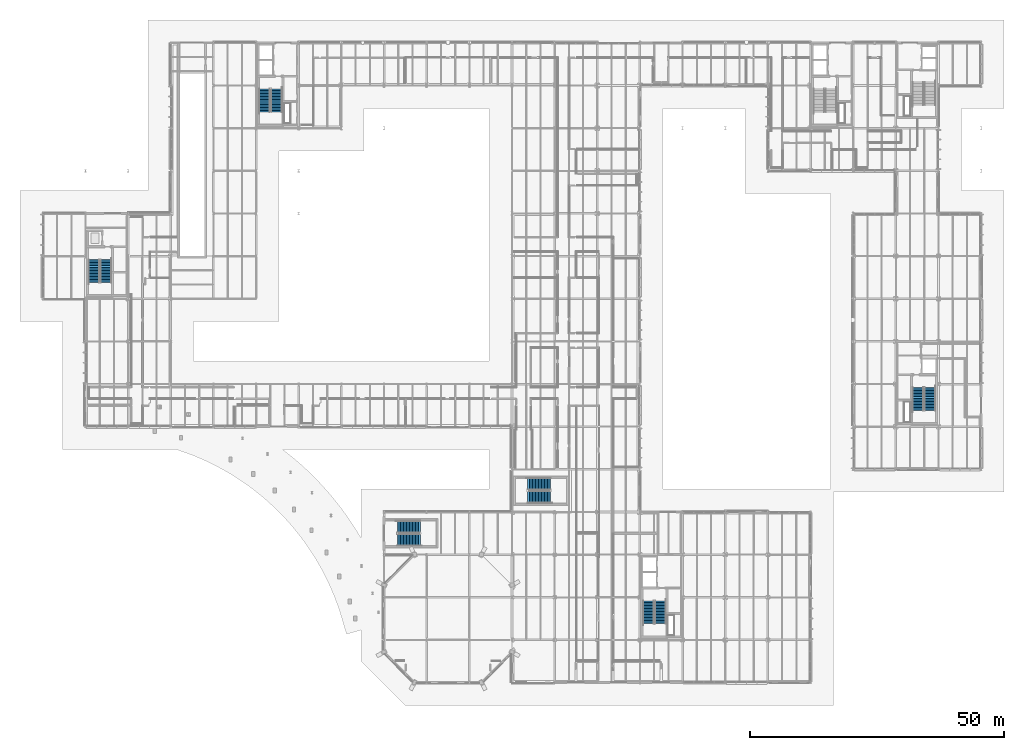
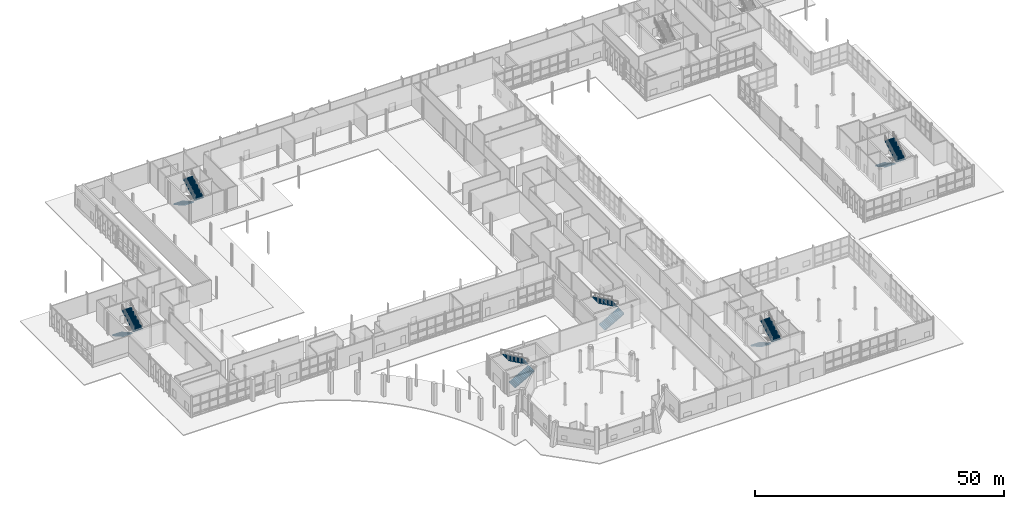
# One storey, part 96 of 124: 12 stair flights, 6 elements without a shape of their own.
"""IFC4 building model written with IfcOpenShell, lengths in metres."""

from ifc_helpers import new_model, si_unit, direction, frame, origin, place, context, subcontext, project, spatial, polyline, outline, extrude, material, type_object, element, aggregate, save


model = new_model("IFC4")

# Units and contexts
model_context = context("Model", 3, precision=1e-05, world=origin(), true_north=direction((0.0, 1.0)))
body_context = subcontext(model_context, "Body", "Model", "MODEL_VIEW")
ifc_project = project(units=[si_unit("LENGTHUNIT", "METRE"), si_unit("AREAUNIT", "SQUARE_METRE"), si_unit("VOLUMEUNIT", "CUBIC_METRE"), si_unit("PLANEANGLEUNIT", "RADIAN"), si_unit("MASSUNIT", "GRAM", prefix="KILO")], contexts=[model_context])

# Site, building, storey
site_placement = place(None, origin())
site = spatial("IfcSite", under=ifc_project, at=site_placement, CompositionType="ELEMENT")
building_placement = place(site_placement, origin())
building = spatial("IfcBuilding", under=site, at=building_placement, Name="Mersafa Astral City Hall", CompositionType="ELEMENT")
storey_placement = place(building_placement, origin())
storey = spatial("IfcBuildingStorey", under=building, at=storey_placement, Name="L00", CompositionType="ELEMENT", Elevation=0.0)

# Stair, stair flights
ifc_material = material(Name="Concrete C40/50", Category="concrete")
stair_type = type_object("IfcStairType", Name="STAIR", PredefinedType="HALF_TURN_STAIR", material=ifc_material)
stair_1_placement = place(storey_placement, origin())
stair_1 = element("IfcStair", 1, at=stair_1_placement, inside=storey, type_object=stair_type, Name="L00 Protected Exit Stair ST3", PredefinedType="HALF_TURN_STAIR")
stair_flight_type = type_object("IfcStairFlightType", Name="STAIR-FLIGHT", PredefinedType="STRAIGHT", material=ifc_material)
stair_flight_1_placement = place(storey_placement, frame((43.679931640625, 116.89990234375, 0.0), z_axis=(0.0, 0.0, 1.0), x_axis=(0.0, -1.0, 0.0)))
stair_flight_1 = element("IfcStairFlight", 2, at=stair_flight_1_placement, type_object=stair_flight_type, Name="ST3 flight 1", NumberOfRisers=16, NumberOfTreads=15, PredefinedType="STRAIGHT", RiserHeight=0.16875, TreadLength=0.3, context=body_context, shape_type="SweptSolid", body=[
    extrude(outline(polyline([(-0.008056640625, -0.02197265625), (-0.008056640625, -0.010009765625), (-0.008056640625, 0.001953125), (-0.008056640625, 0.013671875), (-0.008056640625, 0.025634765625), (-0.008056640625, 0.03759765625), (-0.008056640625, 0.049560546875), (-0.008056640625, 0.0615234375), (-0.008056640625, 0.073486328125), (-0.008056640625, 0.085205078125), (-0.008056640625, 0.09716796875), (-0.008056640625, 0.109130859375), (-0.008056640625, 0.12109375), (-0.008056640625, 0.133056640625), (-0.008056640625, 0.14501953125), (-0.008056640625, 0.15673828125), (-0.008056640625, 0.168701171875), (0.300048828125, 0.168701171875), (0.300048828125, 0.33740234375), (0.60009765625, 0.33740234375), (0.60009765625, 0.50634765625), (0.89990234375, 0.50634765625), (0.89990234375, 0.675048828125), (1.199951171875, 0.675048828125), (1.199951171875, 0.84375), (1.5, 0.84375), (1.5, 1.012451171875), (1.800048828125, 1.012451171875), (1.800048828125, 1.18115234375), (2.10009765625, 1.18115234375), (2.10009765625, 1.35009765625), (2.39990234375, 1.35009765625), (2.39990234375, 1.518798828125), (2.699951171875, 1.518798828125), (2.699951171875, 1.6875), (3.0, 1.6875), (3.0, 1.856201171875), (3.300048828125, 1.856201171875), (3.300048828125, 2.02490234375), (3.60009765625, 2.02490234375), (3.60009765625, 2.19384765625), (3.89990234375, 2.19384765625), (3.89990234375, 2.362548828125), (4.199951171875, 2.362548828125), (4.199951171875, 2.53125), (4.5, 2.53125), (4.5, 2.699951171875), (4.508056640625, 2.699951171875), (4.508056640625, 2.6787109375), (4.508056640625, 2.657470703125), (4.508056640625, 2.63623046875), (4.508056640625, 2.61474609375), (4.508056640625, 2.593505859375), (4.508056640625, 2.572265625), (4.508056640625, 2.551025390625), (4.508056640625, 2.529541015625), (4.508056640625, 2.50830078125), (4.508056640625, 2.487060546875), (4.508056640625, 2.4658203125), (4.508056640625, 2.4443359375), (4.508056640625, 2.423095703125), (4.508056640625, 2.40185546875), (4.508056640625, 2.380615234375), (4.508056640625, 2.359375), (0.2666015625, -0.02197265625), (-0.008056640625, -0.02197265625)])), frame((0.0, 1.10009765625, 0.0), z_axis=(0.0, -1.0, 0.0), x_axis=(1.0, 0.0, 0.0)), (0.0, 0.0, 1.0), 2.199951171875),
])
stair_flight_2_placement = place(storey_placement, frame((46.0400390625, 112.39990234375, 2.699951171875), z_axis=(0.0, 0.0, 1.0), x_axis=(0.0, 1.0, 0.0)))
stair_flight_2 = element("IfcStairFlight", 3, at=stair_flight_2_placement, type_object=stair_flight_type, Name="ST3 flight 2", NumberOfRisers=16, NumberOfTreads=15, PredefinedType="STRAIGHT", RiserHeight=0.16875, TreadLength=0.3, context=body_context, shape_type="SweptSolid", body=[
    extrude(outline(polyline([(-0.008056640625, -0.02197265625), (-0.008056640625, -0.010009765625), (-0.008056640625, 0.001953125), (-0.008056640625, 0.013671875), (-0.008056640625, 0.025634765625), (-0.008056640625, 0.03759765625), (-0.008056640625, 0.049560546875), (-0.008056640625, 0.0615234375), (-0.008056640625, 0.073486328125), (-0.008056640625, 0.085205078125), (-0.008056640625, 0.09716796875), (-0.008056640625, 0.109130859375), (-0.008056640625, 0.12109375), (-0.008056640625, 0.133056640625), (-0.008056640625, 0.14501953125), (-0.008056640625, 0.15673828125), (-0.008056640625, 0.168701171875), (0.300048828125, 0.168701171875), (0.300048828125, 0.33740234375), (0.60009765625, 0.33740234375), (0.60009765625, 0.50634765625), (0.89990234375, 0.50634765625), (0.89990234375, 0.675048828125), (1.199951171875, 0.675048828125), (1.199951171875, 0.84375), (1.5, 0.84375), (1.5, 1.012451171875), (1.800048828125, 1.012451171875), (1.800048828125, 1.18115234375), (2.10009765625, 1.18115234375), (2.10009765625, 1.35009765625), (2.39990234375, 1.35009765625), (2.39990234375, 1.518798828125), (2.699951171875, 1.518798828125), (2.699951171875, 1.6875), (3.0, 1.6875), (3.0, 1.856201171875), (3.300048828125, 1.856201171875), (3.300048828125, 2.02490234375), (3.60009765625, 2.02490234375), (3.60009765625, 2.19384765625), (3.89990234375, 2.19384765625), (3.89990234375, 2.362548828125), (4.199951171875, 2.362548828125), (4.199951171875, 2.53125), (4.5, 2.53125), (4.5, 2.699951171875), (4.508056640625, 2.699951171875), (4.508056640625, 2.6787109375), (4.508056640625, 2.657470703125), (4.508056640625, 2.63623046875), (4.508056640625, 2.61474609375), (4.508056640625, 2.593505859375), (4.508056640625, 2.572265625), (4.508056640625, 2.551025390625), (4.508056640625, 2.529541015625), (4.508056640625, 2.50830078125), (4.508056640625, 2.487060546875), (4.508056640625, 2.4658203125), (4.508056640625, 2.4443359375), (4.508056640625, 2.423095703125), (4.508056640625, 2.40185546875), (4.508056640625, 2.380615234375), (4.508056640625, 2.359375), (0.2666015625, -0.02197265625), (-0.008056640625, -0.02197265625)])), frame((0.0, 1.10009765625, 0.0), z_axis=(0.0, -1.0, 0.0), x_axis=(1.0, 0.0, 0.0)), (0.0, 0.0, 1.0), 2.199951171875),
])
aggregate(stair_1, [stair_flight_1, stair_flight_2])

stair_2_placement = place(storey_placement, origin())
stair_2 = element("IfcStair", 4, at=stair_2_placement, inside=storey, type_object=stair_type, Name="L00 Protected Exit Stair ST4", PredefinedType="HALF_TURN_STAIR")
stair_flight_3_placement = place(storey_placement, frame((172.360107421875, 58.10009765625, 0.0), z_axis=(0.0, 0.0, 1.0), x_axis=(0.0, -1.0, 0.0)))
stair_flight_3 = element("IfcStairFlight", 5, at=stair_flight_3_placement, type_object=stair_flight_type, Name="ST4 flight 1", NumberOfRisers=16, NumberOfTreads=15, PredefinedType="STRAIGHT", RiserHeight=0.16875, TreadLength=0.3, context=body_context, shape_type="SweptSolid", body=[
    extrude(outline(polyline([(-0.008056640625, -0.02197265625), (-0.008056640625, -0.010009765625), (-0.008056640625, 0.001953125), (-0.008056640625, 0.013671875), (-0.008056640625, 0.025634765625), (-0.008056640625, 0.03759765625), (-0.008056640625, 0.049560546875), (-0.008056640625, 0.0615234375), (-0.008056640625, 0.073486328125), (-0.008056640625, 0.085205078125), (-0.008056640625, 0.09716796875), (-0.008056640625, 0.109130859375), (-0.008056640625, 0.12109375), (-0.008056640625, 0.133056640625), (-0.008056640625, 0.14501953125), (-0.008056640625, 0.15673828125), (-0.008056640625, 0.168701171875), (0.300048828125, 0.168701171875), (0.300048828125, 0.33740234375), (0.60009765625, 0.33740234375), (0.60009765625, 0.50634765625), (0.89990234375, 0.50634765625), (0.89990234375, 0.675048828125), (1.199951171875, 0.675048828125), (1.199951171875, 0.84375), (1.5, 0.84375), (1.5, 1.012451171875), (1.800048828125, 1.012451171875), (1.800048828125, 1.18115234375), (2.10009765625, 1.18115234375), (2.10009765625, 1.35009765625), (2.39990234375, 1.35009765625), (2.39990234375, 1.518798828125), (2.699951171875, 1.518798828125), (2.699951171875, 1.6875), (3.0, 1.6875), (3.0, 1.856201171875), (3.300048828125, 1.856201171875), (3.300048828125, 2.02490234375), (3.60009765625, 2.02490234375), (3.60009765625, 2.19384765625), (3.89990234375, 2.19384765625), (3.89990234375, 2.362548828125), (4.199951171875, 2.362548828125), (4.199951171875, 2.53125), (4.5, 2.53125), (4.5, 2.699951171875), (4.508056640625, 2.699951171875), (4.508056640625, 2.6787109375), (4.508056640625, 2.657470703125), (4.508056640625, 2.63623046875), (4.508056640625, 2.61474609375), (4.508056640625, 2.593505859375), (4.508056640625, 2.572265625), (4.508056640625, 2.551025390625), (4.508056640625, 2.529541015625), (4.508056640625, 2.50830078125), (4.508056640625, 2.487060546875), (4.508056640625, 2.4658203125), (4.508056640625, 2.4443359375), (4.508056640625, 2.423095703125), (4.508056640625, 2.40185546875), (4.508056640625, 2.380615234375), (4.508056640625, 2.359375), (0.2666015625, -0.02197265625), (-0.008056640625, -0.02197265625)])), frame((0.0, 1.10009765625, 0.0), z_axis=(0.0, -1.0, 0.0), x_axis=(1.0, 0.0, 0.0)), (0.0, 0.0, 1.0), 2.199951171875),
])
stair_flight_4_placement = place(storey_placement, frame((174.719970703125, 53.60009765625, 2.699951171875), z_axis=(0.0, 0.0, 1.0), x_axis=(0.0, 1.0, 0.0)))
stair_flight_4 = element("IfcStairFlight", 6, at=stair_flight_4_placement, type_object=stair_flight_type, Name="ST4 flight 2", NumberOfRisers=16, NumberOfTreads=15, PredefinedType="STRAIGHT", RiserHeight=0.16875, TreadLength=0.3, context=body_context, shape_type="SweptSolid", body=[
    extrude(outline(polyline([(-0.008056640625, -0.02197265625), (-0.008056640625, -0.010009765625), (-0.008056640625, 0.001953125), (-0.008056640625, 0.013671875), (-0.008056640625, 0.025634765625), (-0.008056640625, 0.03759765625), (-0.008056640625, 0.049560546875), (-0.008056640625, 0.0615234375), (-0.008056640625, 0.073486328125), (-0.008056640625, 0.085205078125), (-0.008056640625, 0.09716796875), (-0.008056640625, 0.109130859375), (-0.008056640625, 0.12109375), (-0.008056640625, 0.133056640625), (-0.008056640625, 0.14501953125), (-0.008056640625, 0.15673828125), (-0.008056640625, 0.168701171875), (0.300048828125, 0.168701171875), (0.300048828125, 0.33740234375), (0.60009765625, 0.33740234375), (0.60009765625, 0.50634765625), (0.89990234375, 0.50634765625), (0.89990234375, 0.675048828125), (1.199951171875, 0.675048828125), (1.199951171875, 0.84375), (1.5, 0.84375), (1.5, 1.012451171875), (1.800048828125, 1.012451171875), (1.800048828125, 1.18115234375), (2.10009765625, 1.18115234375), (2.10009765625, 1.35009765625), (2.39990234375, 1.35009765625), (2.39990234375, 1.518798828125), (2.699951171875, 1.518798828125), (2.699951171875, 1.6875), (3.0, 1.6875), (3.0, 1.856201171875), (3.300048828125, 1.856201171875), (3.300048828125, 2.02490234375), (3.60009765625, 2.02490234375), (3.60009765625, 2.19384765625), (3.89990234375, 2.19384765625), (3.89990234375, 2.362548828125), (4.199951171875, 2.362548828125), (4.199951171875, 2.53125), (4.5, 2.53125), (4.5, 2.699951171875), (4.508056640625, 2.699951171875), (4.508056640625, 2.6787109375), (4.508056640625, 2.657470703125), (4.508056640625, 2.63623046875), (4.508056640625, 2.61474609375), (4.508056640625, 2.593505859375), (4.508056640625, 2.572265625), (4.508056640625, 2.551025390625), (4.508056640625, 2.529541015625), (4.508056640625, 2.50830078125), (4.508056640625, 2.487060546875), (4.508056640625, 2.4658203125), (4.508056640625, 2.4443359375), (4.508056640625, 2.423095703125), (4.508056640625, 2.40185546875), (4.508056640625, 2.380615234375), (4.508056640625, 2.359375), (0.2666015625, -0.02197265625), (-0.008056640625, -0.02197265625)])), frame((0.0, 1.10009765625, 0.0), z_axis=(0.0, -1.0, 0.0), x_axis=(1.0, 0.0, 0.0)), (0.0, 0.0, 1.0), 2.199951171875),
])
aggregate(stair_2, [stair_flight_3, stair_flight_4])

stair_3_placement = place(storey_placement, origin())
stair_3 = element("IfcStair", 7, at=stair_3_placement, inside=storey, type_object=stair_type, Name="L00 Protected Exit Stair ST5", PredefinedType="HALF_TURN_STAIR")
stair_flight_5_placement = place(storey_placement, frame((119.280029296875, 16.10009765625, 0.0), z_axis=(0.0, 0.0, 1.0), x_axis=(0.0, -1.0, 0.0)))
stair_flight_5 = element("IfcStairFlight", 8, at=stair_flight_5_placement, type_object=stair_flight_type, Name="ST5 flight 1", NumberOfRisers=16, NumberOfTreads=15, PredefinedType="STRAIGHT", RiserHeight=0.16875, TreadLength=0.3, context=body_context, shape_type="SweptSolid", body=[
    extrude(outline(polyline([(-0.008056640625, -0.02197265625), (-0.008056640625, -0.010009765625), (-0.008056640625, 0.001953125), (-0.008056640625, 0.013671875), (-0.008056640625, 0.025634765625), (-0.008056640625, 0.03759765625), (-0.008056640625, 0.049560546875), (-0.008056640625, 0.0615234375), (-0.008056640625, 0.073486328125), (-0.008056640625, 0.085205078125), (-0.008056640625, 0.09716796875), (-0.008056640625, 0.109130859375), (-0.008056640625, 0.12109375), (-0.008056640625, 0.133056640625), (-0.008056640625, 0.14501953125), (-0.008056640625, 0.15673828125), (-0.008056640625, 0.168701171875), (0.300048828125, 0.168701171875), (0.300048828125, 0.33740234375), (0.60009765625, 0.33740234375), (0.60009765625, 0.50634765625), (0.89990234375, 0.50634765625), (0.89990234375, 0.675048828125), (1.199951171875, 0.675048828125), (1.199951171875, 0.84375), (1.5, 0.84375), (1.5, 1.012451171875), (1.800048828125, 1.012451171875), (1.800048828125, 1.18115234375), (2.10009765625, 1.18115234375), (2.10009765625, 1.35009765625), (2.39990234375, 1.35009765625), (2.39990234375, 1.518798828125), (2.699951171875, 1.518798828125), (2.699951171875, 1.6875), (3.0, 1.6875), (3.0, 1.856201171875), (3.300048828125, 1.856201171875), (3.300048828125, 2.02490234375), (3.60009765625, 2.02490234375), (3.60009765625, 2.19384765625), (3.89990234375, 2.19384765625), (3.89990234375, 2.362548828125), (4.199951171875, 2.362548828125), (4.199951171875, 2.53125), (4.5, 2.53125), (4.5, 2.699951171875), (4.508056640625, 2.699951171875), (4.508056640625, 2.6787109375), (4.508056640625, 2.657470703125), (4.508056640625, 2.63623046875), (4.508056640625, 2.61474609375), (4.508056640625, 2.593505859375), (4.508056640625, 2.572265625), (4.508056640625, 2.551025390625), (4.508056640625, 2.529541015625), (4.508056640625, 2.50830078125), (4.508056640625, 2.487060546875), (4.508056640625, 2.4658203125), (4.508056640625, 2.4443359375), (4.508056640625, 2.423095703125), (4.508056640625, 2.40185546875), (4.508056640625, 2.380615234375), (4.508056640625, 2.359375), (0.2666015625, -0.02197265625), (-0.008056640625, -0.02197265625)])), frame((0.0, 1.10009765625, 0.0), z_axis=(0.0, -1.0, 0.0), x_axis=(1.0, 0.0, 0.0)), (0.0, 0.0, 1.0), 2.199951171875),
])
stair_flight_6_placement = place(storey_placement, frame((121.639892578125, 11.60009765625, 2.699951171875), z_axis=(0.0, 0.0, 1.0), x_axis=(0.0, 1.0, 0.0)))
stair_flight_6 = element("IfcStairFlight", 9, at=stair_flight_6_placement, type_object=stair_flight_type, Name="ST5 flight 2", NumberOfRisers=16, NumberOfTreads=15, PredefinedType="STRAIGHT", RiserHeight=0.16875, TreadLength=0.3, context=body_context, shape_type="SweptSolid", body=[
    extrude(outline(polyline([(-0.008056640625, -0.02197265625), (-0.008056640625, -0.010009765625), (-0.008056640625, 0.001953125), (-0.008056640625, 0.013671875), (-0.008056640625, 0.025634765625), (-0.008056640625, 0.03759765625), (-0.008056640625, 0.049560546875), (-0.008056640625, 0.0615234375), (-0.008056640625, 0.073486328125), (-0.008056640625, 0.085205078125), (-0.008056640625, 0.09716796875), (-0.008056640625, 0.109130859375), (-0.008056640625, 0.12109375), (-0.008056640625, 0.133056640625), (-0.008056640625, 0.14501953125), (-0.008056640625, 0.15673828125), (-0.008056640625, 0.168701171875), (0.300048828125, 0.168701171875), (0.300048828125, 0.33740234375), (0.60009765625, 0.33740234375), (0.60009765625, 0.50634765625), (0.89990234375, 0.50634765625), (0.89990234375, 0.675048828125), (1.199951171875, 0.675048828125), (1.199951171875, 0.84375), (1.5, 0.84375), (1.5, 1.012451171875), (1.800048828125, 1.012451171875), (1.800048828125, 1.18115234375), (2.10009765625, 1.18115234375), (2.10009765625, 1.35009765625), (2.39990234375, 1.35009765625), (2.39990234375, 1.518798828125), (2.699951171875, 1.518798828125), (2.699951171875, 1.6875), (3.0, 1.6875), (3.0, 1.856201171875), (3.300048828125, 1.856201171875), (3.300048828125, 2.02490234375), (3.60009765625, 2.02490234375), (3.60009765625, 2.19384765625), (3.89990234375, 2.19384765625), (3.89990234375, 2.362548828125), (4.199951171875, 2.362548828125), (4.199951171875, 2.53125), (4.5, 2.53125), (4.5, 2.699951171875), (4.508056640625, 2.699951171875), (4.508056640625, 2.6787109375), (4.508056640625, 2.657470703125), (4.508056640625, 2.63623046875), (4.508056640625, 2.61474609375), (4.508056640625, 2.593505859375), (4.508056640625, 2.572265625), (4.508056640625, 2.551025390625), (4.508056640625, 2.529541015625), (4.508056640625, 2.50830078125), (4.508056640625, 2.487060546875), (4.508056640625, 2.4658203125), (4.508056640625, 2.4443359375), (4.508056640625, 2.423095703125), (4.508056640625, 2.40185546875), (4.508056640625, 2.380615234375), (4.508056640625, 2.359375), (0.2666015625, -0.02197265625), (-0.008056640625, -0.02197265625)])), frame((0.0, 1.10009765625, 0.0), z_axis=(0.0, -1.0, 0.0), x_axis=(1.0, 0.0, 0.0)), (0.0, 0.0, 1.0), 2.199951171875),
])
aggregate(stair_3, [stair_flight_5, stair_flight_6])

stair_4_placement = place(storey_placement, origin())
stair_4 = element("IfcStair", 10, at=stair_4_placement, inside=storey, type_object=stair_type, Name="L00 Protected Exit Stair ST6", PredefinedType="HALF_TURN_STAIR")
stair_flight_7_placement = place(storey_placement, frame((10.080078125, 83.300048828125, 0.0), z_axis=(0.0, 0.0, 1.0), x_axis=(0.0, -1.0, 0.0)))
stair_flight_7 = element("IfcStairFlight", 11, at=stair_flight_7_placement, type_object=stair_flight_type, Name="ST6 flight 1", NumberOfRisers=16, NumberOfTreads=15, PredefinedType="STRAIGHT", RiserHeight=0.16875, TreadLength=0.3, context=body_context, shape_type="SweptSolid", body=[
    extrude(outline(polyline([(-0.008056640625, -0.02197265625), (-0.008056640625, -0.010009765625), (-0.008056640625, 0.001953125), (-0.008056640625, 0.013671875), (-0.008056640625, 0.025634765625), (-0.008056640625, 0.03759765625), (-0.008056640625, 0.049560546875), (-0.008056640625, 0.0615234375), (-0.008056640625, 0.073486328125), (-0.008056640625, 0.085205078125), (-0.008056640625, 0.09716796875), (-0.008056640625, 0.109130859375), (-0.008056640625, 0.12109375), (-0.008056640625, 0.133056640625), (-0.008056640625, 0.14501953125), (-0.008056640625, 0.15673828125), (-0.008056640625, 0.168701171875), (0.300048828125, 0.168701171875), (0.300048828125, 0.33740234375), (0.60009765625, 0.33740234375), (0.60009765625, 0.50634765625), (0.89990234375, 0.50634765625), (0.89990234375, 0.675048828125), (1.199951171875, 0.675048828125), (1.199951171875, 0.84375), (1.5, 0.84375), (1.5, 1.012451171875), (1.800048828125, 1.012451171875), (1.800048828125, 1.18115234375), (2.10009765625, 1.18115234375), (2.10009765625, 1.35009765625), (2.39990234375, 1.35009765625), (2.39990234375, 1.518798828125), (2.699951171875, 1.518798828125), (2.699951171875, 1.6875), (3.0, 1.6875), (3.0, 1.856201171875), (3.300048828125, 1.856201171875), (3.300048828125, 2.02490234375), (3.60009765625, 2.02490234375), (3.60009765625, 2.19384765625), (3.89990234375, 2.19384765625), (3.89990234375, 2.362548828125), (4.199951171875, 2.362548828125), (4.199951171875, 2.53125), (4.5, 2.53125), (4.5, 2.699951171875), (4.508056640625, 2.699951171875), (4.508056640625, 2.6787109375), (4.508056640625, 2.657470703125), (4.508056640625, 2.63623046875), (4.508056640625, 2.61474609375), (4.508056640625, 2.593505859375), (4.508056640625, 2.572265625), (4.508056640625, 2.551025390625), (4.508056640625, 2.529541015625), (4.508056640625, 2.50830078125), (4.508056640625, 2.487060546875), (4.508056640625, 2.4658203125), (4.508056640625, 2.4443359375), (4.508056640625, 2.423095703125), (4.508056640625, 2.40185546875), (4.508056640625, 2.380615234375), (4.508056640625, 2.359375), (0.2666015625, -0.02197265625), (-0.008056640625, -0.02197265625)])), frame((0.0, 1.10009765625, 0.0), z_axis=(0.0, -1.0, 0.0), x_axis=(1.0, 0.0, 0.0)), (0.0, 0.0, 1.0), 2.199951171875),
])
stair_flight_8_placement = place(storey_placement, frame((12.43994140625, 78.800048828125, 2.699951171875), z_axis=(0.0, 0.0, 1.0), x_axis=(0.0, 1.0, 0.0)))
stair_flight_8 = element("IfcStairFlight", 12, at=stair_flight_8_placement, type_object=stair_flight_type, Name="ST6 flight 2", NumberOfRisers=16, NumberOfTreads=15, PredefinedType="STRAIGHT", RiserHeight=0.16875, TreadLength=0.3, context=body_context, shape_type="SweptSolid", body=[
    extrude(outline(polyline([(-0.008056640625, -0.02197265625), (-0.008056640625, -0.010009765625), (-0.008056640625, 0.001953125), (-0.008056640625, 0.013671875), (-0.008056640625, 0.025634765625), (-0.008056640625, 0.03759765625), (-0.008056640625, 0.049560546875), (-0.008056640625, 0.0615234375), (-0.008056640625, 0.073486328125), (-0.008056640625, 0.085205078125), (-0.008056640625, 0.09716796875), (-0.008056640625, 0.109130859375), (-0.008056640625, 0.12109375), (-0.008056640625, 0.133056640625), (-0.008056640625, 0.14501953125), (-0.008056640625, 0.15673828125), (-0.008056640625, 0.168701171875), (0.300048828125, 0.168701171875), (0.300048828125, 0.33740234375), (0.60009765625, 0.33740234375), (0.60009765625, 0.50634765625), (0.89990234375, 0.50634765625), (0.89990234375, 0.675048828125), (1.199951171875, 0.675048828125), (1.199951171875, 0.84375), (1.5, 0.84375), (1.5, 1.012451171875), (1.800048828125, 1.012451171875), (1.800048828125, 1.18115234375), (2.10009765625, 1.18115234375), (2.10009765625, 1.35009765625), (2.39990234375, 1.35009765625), (2.39990234375, 1.518798828125), (2.699951171875, 1.518798828125), (2.699951171875, 1.6875), (3.0, 1.6875), (3.0, 1.856201171875), (3.300048828125, 1.856201171875), (3.300048828125, 2.02490234375), (3.60009765625, 2.02490234375), (3.60009765625, 2.19384765625), (3.89990234375, 2.19384765625), (3.89990234375, 2.362548828125), (4.199951171875, 2.362548828125), (4.199951171875, 2.53125), (4.5, 2.53125), (4.5, 2.699951171875), (4.508056640625, 2.699951171875), (4.508056640625, 2.6787109375), (4.508056640625, 2.657470703125), (4.508056640625, 2.63623046875), (4.508056640625, 2.61474609375), (4.508056640625, 2.593505859375), (4.508056640625, 2.572265625), (4.508056640625, 2.551025390625), (4.508056640625, 2.529541015625), (4.508056640625, 2.50830078125), (4.508056640625, 2.487060546875), (4.508056640625, 2.4658203125), (4.508056640625, 2.4443359375), (4.508056640625, 2.423095703125), (4.508056640625, 2.40185546875), (4.508056640625, 2.380615234375), (4.508056640625, 2.359375), (0.2666015625, -0.02197265625), (-0.008056640625, -0.02197265625)])), frame((0.0, 1.10009765625, 0.0), z_axis=(0.0, -1.0, 0.0), x_axis=(1.0, 0.0, 0.0)), (0.0, 0.0, 1.0), 2.199951171875),
])
aggregate(stair_4, [stair_flight_7, stair_flight_8])

stair_5_placement = place(storey_placement, origin())
stair_5 = element("IfcStair", 13, at=stair_5_placement, inside=storey, type_object=stair_type, Name="L00 Assembly Protected Exit Stair ST7", PredefinedType="HALF_TURN_STAIR")
stair_flight_9_placement = place(storey_placement, frame((69.830078125, 28.1201171875, 0.0), z_axis=(0.0, 0.0, 1.0), x_axis=(1.0, 0.0, 0.0)))
stair_flight_9 = element("IfcStairFlight", 14, at=stair_flight_9_placement, type_object=stair_flight_type, Name="ST7 flight 1", NumberOfRisers=16, NumberOfTreads=15, PredefinedType="STRAIGHT", RiserHeight=0.16875, TreadLength=0.3, context=body_context, shape_type="SweptSolid", body=[
    extrude(outline(polyline([(-0.008056640625, -0.02197265625), (-0.008056640625, -0.010009765625), (-0.008056640625, 0.001953125), (-0.008056640625, 0.013671875), (-0.008056640625, 0.025634765625), (-0.008056640625, 0.03759765625), (-0.008056640625, 0.049560546875), (-0.008056640625, 0.0615234375), (-0.008056640625, 0.073486328125), (-0.008056640625, 0.085205078125), (-0.008056640625, 0.09716796875), (-0.008056640625, 0.109130859375), (-0.008056640625, 0.12109375), (-0.008056640625, 0.133056640625), (-0.008056640625, 0.14501953125), (-0.008056640625, 0.15673828125), (-0.008056640625, 0.168701171875), (0.300048828125, 0.168701171875), (0.300048828125, 0.33740234375), (0.60009765625, 0.33740234375), (0.60009765625, 0.50634765625), (0.89990234375, 0.50634765625), (0.89990234375, 0.675048828125), (1.199951171875, 0.675048828125), (1.199951171875, 0.84375), (1.5, 0.84375), (1.5, 1.012451171875), (1.800048828125, 1.012451171875), (1.800048828125, 1.18115234375), (2.10009765625, 1.18115234375), (2.10009765625, 1.35009765625), (2.39990234375, 1.35009765625), (2.39990234375, 1.518798828125), (2.699951171875, 1.518798828125), (2.699951171875, 1.6875), (3.0, 1.6875), (3.0, 1.856201171875), (3.300048828125, 1.856201171875), (3.300048828125, 2.02490234375), (3.60009765625, 2.02490234375), (3.60009765625, 2.19384765625), (3.89990234375, 2.19384765625), (3.89990234375, 2.362548828125), (4.199951171875, 2.362548828125), (4.199951171875, 2.53125), (4.5, 2.53125), (4.5, 2.699951171875), (4.508056640625, 2.699951171875), (4.508056640625, 2.6787109375), (4.508056640625, 2.657470703125), (4.508056640625, 2.63623046875), (4.508056640625, 2.61474609375), (4.508056640625, 2.593505859375), (4.508056640625, 2.572265625), (4.508056640625, 2.551025390625), (4.508056640625, 2.529541015625), (4.508056640625, 2.50830078125), (4.508056640625, 2.487060546875), (4.508056640625, 2.4658203125), (4.508056640625, 2.4443359375), (4.508056640625, 2.423095703125), (4.508056640625, 2.40185546875), (4.508056640625, 2.380615234375), (4.508056640625, 2.359375), (0.2666015625, -0.02197265625), (-0.008056640625, -0.02197265625)])), frame((0.0, 1.199951171875, 0.0), z_axis=(0.0, -1.0, 0.0), x_axis=(1.0, 0.0, 0.0)), (0.0, 0.0, 1.0), 2.39990234375),
])
stair_flight_10_placement = place(storey_placement, frame((74.330078125, 30.679931640625, 2.699951171875), z_axis=(0.0, 0.0, 1.0), x_axis=(-1.0, 0.0, 0.0)))
stair_flight_10 = element("IfcStairFlight", 15, at=stair_flight_10_placement, type_object=stair_flight_type, Name="ST7 flight 2", NumberOfRisers=16, NumberOfTreads=15, PredefinedType="STRAIGHT", RiserHeight=0.16875, TreadLength=0.3, context=body_context, shape_type="SweptSolid", body=[
    extrude(outline(polyline([(-0.008056640625, -0.02197265625), (-0.008056640625, -0.010009765625), (-0.008056640625, 0.001953125), (-0.008056640625, 0.013671875), (-0.008056640625, 0.025634765625), (-0.008056640625, 0.03759765625), (-0.008056640625, 0.049560546875), (-0.008056640625, 0.0615234375), (-0.008056640625, 0.073486328125), (-0.008056640625, 0.085205078125), (-0.008056640625, 0.09716796875), (-0.008056640625, 0.109130859375), (-0.008056640625, 0.12109375), (-0.008056640625, 0.133056640625), (-0.008056640625, 0.14501953125), (-0.008056640625, 0.15673828125), (-0.008056640625, 0.168701171875), (0.300048828125, 0.168701171875), (0.300048828125, 0.33740234375), (0.60009765625, 0.33740234375), (0.60009765625, 0.50634765625), (0.89990234375, 0.50634765625), (0.89990234375, 0.675048828125), (1.199951171875, 0.675048828125), (1.199951171875, 0.84375), (1.5, 0.84375), (1.5, 1.012451171875), (1.800048828125, 1.012451171875), (1.800048828125, 1.18115234375), (2.10009765625, 1.18115234375), (2.10009765625, 1.35009765625), (2.39990234375, 1.35009765625), (2.39990234375, 1.518798828125), (2.699951171875, 1.518798828125), (2.699951171875, 1.6875), (3.0, 1.6875), (3.0, 1.856201171875), (3.300048828125, 1.856201171875), (3.300048828125, 2.02490234375), (3.60009765625, 2.02490234375), (3.60009765625, 2.19384765625), (3.89990234375, 2.19384765625), (3.89990234375, 2.362548828125), (4.199951171875, 2.362548828125), (4.199951171875, 2.53125), (4.5, 2.53125), (4.5, 2.699951171875), (4.508056640625, 2.699951171875), (4.508056640625, 2.6787109375), (4.508056640625, 2.657470703125), (4.508056640625, 2.63623046875), (4.508056640625, 2.61474609375), (4.508056640625, 2.593505859375), (4.508056640625, 2.572265625), (4.508056640625, 2.551025390625), (4.508056640625, 2.529541015625), (4.508056640625, 2.50830078125), (4.508056640625, 2.487060546875), (4.508056640625, 2.4658203125), (4.508056640625, 2.4443359375), (4.508056640625, 2.423095703125), (4.508056640625, 2.40185546875), (4.508056640625, 2.380615234375), (4.508056640625, 2.359375), (0.2666015625, -0.02197265625), (-0.008056640625, -0.02197265625)])), frame((0.0, 1.199951171875, 0.0), z_axis=(0.0, -1.0, 0.0), x_axis=(1.0, 0.0, 0.0)), (0.0, 0.0, 1.0), 2.39990234375),
])
aggregate(stair_5, [stair_flight_9, stair_flight_10])

stair_6_placement = place(storey_placement, origin())
stair_6 = element("IfcStair", 16, at=stair_6_placement, inside=storey, type_object=stair_type, Name="L00 Assembly Protected Exit Stair ST8", PredefinedType="HALF_TURN_STAIR")
stair_flight_11_placement = place(storey_placement, frame((95.5, 36.52001953125, 0.0), z_axis=(0.0, 0.0, 1.0), x_axis=(1.0, 0.0, 0.0)))
stair_flight_11 = element("IfcStairFlight", 17, at=stair_flight_11_placement, type_object=stair_flight_type, Name="ST8 flight 1", NumberOfRisers=16, NumberOfTreads=15, PredefinedType="STRAIGHT", RiserHeight=0.16875, TreadLength=0.3, context=body_context, shape_type="SweptSolid", body=[
    extrude(outline(polyline([(-0.008056640625, -0.02197265625), (-0.008056640625, -0.010009765625), (-0.008056640625, 0.001953125), (-0.008056640625, 0.013671875), (-0.008056640625, 0.025634765625), (-0.008056640625, 0.03759765625), (-0.008056640625, 0.049560546875), (-0.008056640625, 0.0615234375), (-0.008056640625, 0.073486328125), (-0.008056640625, 0.085205078125), (-0.008056640625, 0.09716796875), (-0.008056640625, 0.109130859375), (-0.008056640625, 0.12109375), (-0.008056640625, 0.133056640625), (-0.008056640625, 0.14501953125), (-0.008056640625, 0.15673828125), (-0.008056640625, 0.168701171875), (0.300048828125, 0.168701171875), (0.300048828125, 0.33740234375), (0.60009765625, 0.33740234375), (0.60009765625, 0.50634765625), (0.89990234375, 0.50634765625), (0.89990234375, 0.675048828125), (1.199951171875, 0.675048828125), (1.199951171875, 0.84375), (1.5, 0.84375), (1.5, 1.012451171875), (1.800048828125, 1.012451171875), (1.800048828125, 1.18115234375), (2.10009765625, 1.18115234375), (2.10009765625, 1.35009765625), (2.39990234375, 1.35009765625), (2.39990234375, 1.518798828125), (2.699951171875, 1.518798828125), (2.699951171875, 1.6875), (3.0, 1.6875), (3.0, 1.856201171875), (3.300048828125, 1.856201171875), (3.300048828125, 2.02490234375), (3.60009765625, 2.02490234375), (3.60009765625, 2.19384765625), (3.89990234375, 2.19384765625), (3.89990234375, 2.362548828125), (4.199951171875, 2.362548828125), (4.199951171875, 2.53125), (4.5, 2.53125), (4.5, 2.699951171875), (4.508056640625, 2.699951171875), (4.508056640625, 2.6787109375), (4.508056640625, 2.657470703125), (4.508056640625, 2.63623046875), (4.508056640625, 2.61474609375), (4.508056640625, 2.593505859375), (4.508056640625, 2.572265625), (4.508056640625, 2.551025390625), (4.508056640625, 2.529541015625), (4.508056640625, 2.50830078125), (4.508056640625, 2.487060546875), (4.508056640625, 2.4658203125), (4.508056640625, 2.4443359375), (4.508056640625, 2.423095703125), (4.508056640625, 2.40185546875), (4.508056640625, 2.380615234375), (4.508056640625, 2.359375), (0.2666015625, -0.02197265625), (-0.008056640625, -0.02197265625)])), frame((0.0, 1.199951171875, 0.0), z_axis=(0.0, -1.0, 0.0), x_axis=(1.0, 0.0, 0.0)), (0.0, 0.0, 1.0), 2.39990234375),
])
stair_flight_12_placement = place(storey_placement, frame((100.0, 39.080078125, 2.699951171875), z_axis=(0.0, 0.0, 1.0), x_axis=(-1.0, 0.0, 0.0)))
stair_flight_12 = element("IfcStairFlight", 18, at=stair_flight_12_placement, type_object=stair_flight_type, Name="ST8 flight 2", NumberOfRisers=16, NumberOfTreads=15, PredefinedType="STRAIGHT", RiserHeight=0.16875, TreadLength=0.3, context=body_context, shape_type="SweptSolid", body=[
    extrude(outline(polyline([(-0.008056640625, -0.02197265625), (-0.008056640625, -0.010009765625), (-0.008056640625, 0.001953125), (-0.008056640625, 0.013671875), (-0.008056640625, 0.025634765625), (-0.008056640625, 0.03759765625), (-0.008056640625, 0.049560546875), (-0.008056640625, 0.0615234375), (-0.008056640625, 0.073486328125), (-0.008056640625, 0.085205078125), (-0.008056640625, 0.09716796875), (-0.008056640625, 0.109130859375), (-0.008056640625, 0.12109375), (-0.008056640625, 0.133056640625), (-0.008056640625, 0.14501953125), (-0.008056640625, 0.15673828125), (-0.008056640625, 0.168701171875), (0.300048828125, 0.168701171875), (0.300048828125, 0.33740234375), (0.60009765625, 0.33740234375), (0.60009765625, 0.50634765625), (0.89990234375, 0.50634765625), (0.89990234375, 0.675048828125), (1.199951171875, 0.675048828125), (1.199951171875, 0.84375), (1.5, 0.84375), (1.5, 1.012451171875), (1.800048828125, 1.012451171875), (1.800048828125, 1.18115234375), (2.10009765625, 1.18115234375), (2.10009765625, 1.35009765625), (2.39990234375, 1.35009765625), (2.39990234375, 1.518798828125), (2.699951171875, 1.518798828125), (2.699951171875, 1.6875), (3.0, 1.6875), (3.0, 1.856201171875), (3.300048828125, 1.856201171875), (3.300048828125, 2.02490234375), (3.60009765625, 2.02490234375), (3.60009765625, 2.19384765625), (3.89990234375, 2.19384765625), (3.89990234375, 2.362548828125), (4.199951171875, 2.362548828125), (4.199951171875, 2.53125), (4.5, 2.53125), (4.5, 2.699951171875), (4.508056640625, 2.699951171875), (4.508056640625, 2.6787109375), (4.508056640625, 2.657470703125), (4.508056640625, 2.63623046875), (4.508056640625, 2.61474609375), (4.508056640625, 2.593505859375), (4.508056640625, 2.572265625), (4.508056640625, 2.551025390625), (4.508056640625, 2.529541015625), (4.508056640625, 2.50830078125), (4.508056640625, 2.487060546875), (4.508056640625, 2.4658203125), (4.508056640625, 2.4443359375), (4.508056640625, 2.423095703125), (4.508056640625, 2.40185546875), (4.508056640625, 2.380615234375), (4.508056640625, 2.359375), (0.2666015625, -0.02197265625), (-0.008056640625, -0.02197265625)])), frame((0.0, 1.199951171875, 0.0), z_axis=(0.0, -1.0, 0.0), x_axis=(1.0, 0.0, 0.0)), (0.0, 0.0, 1.0), 2.39990234375),
])
aggregate(stair_6, [stair_flight_11, stair_flight_12])

save(model, "model.ifc")
